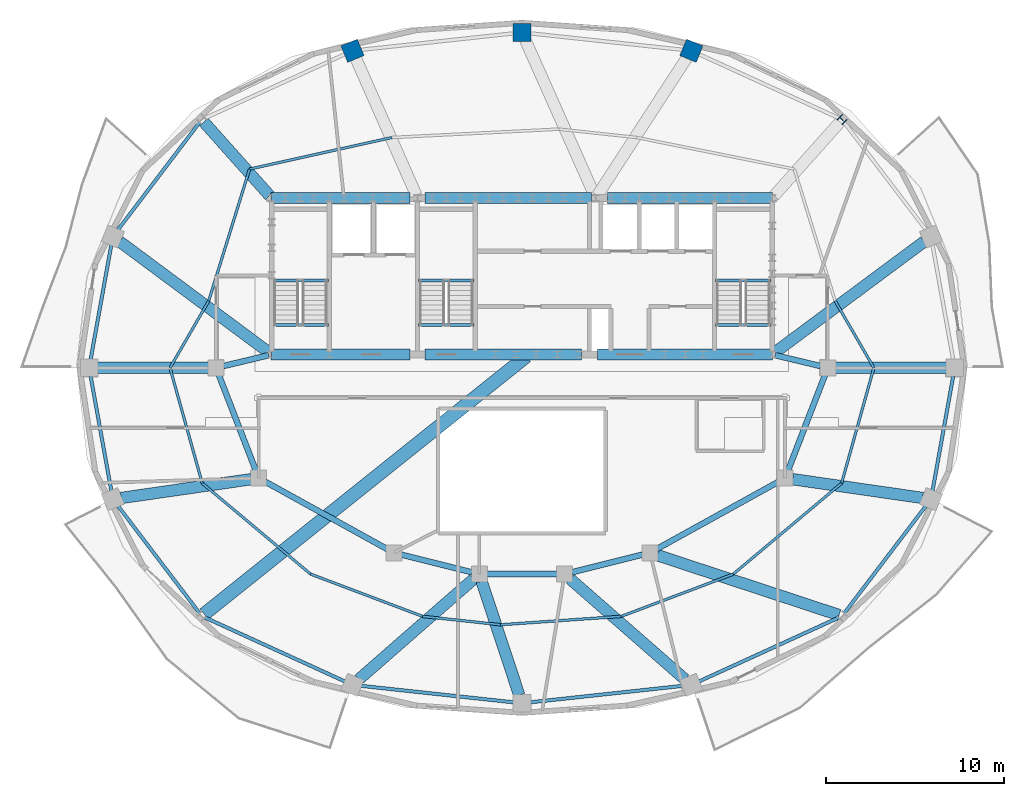
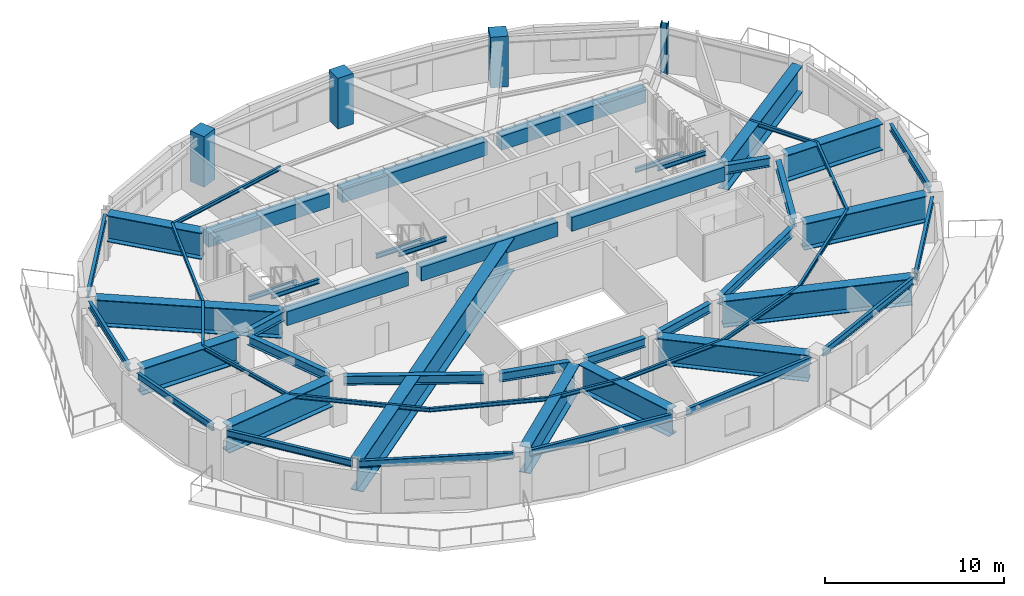
# One storey, part 2 of 10: 55 beams, 4 columns.
"""IFC4 building model written with IfcOpenShell, lengths in metres."""

from ifc_helpers import new_model, si_unit, direction, frame, origin, origin_2d, place, context, subcontext, project, spatial, rectangle, i_section, extrude, material, material_profile, profile_set, type_object, element, save


model = new_model("IFC4")

# Units and contexts
model_context = context("Model", 3, precision=1e-05, world=origin(), true_north=direction((0.0, 1.0)))
body_context = subcontext(model_context, "Body", "Model", "MODEL_VIEW")
ifc_project = project(units=[si_unit("LENGTHUNIT", "METRE"), si_unit("AREAUNIT", "SQUARE_METRE"), si_unit("VOLUMEUNIT", "CUBIC_METRE"), si_unit("PLANEANGLEUNIT", "RADIAN"), si_unit("MASSUNIT", "GRAM", prefix="KILO")], contexts=[model_context])

# Site, building, storey
site_placement = place(None, origin())
site = spatial("IfcSite", under=ifc_project, at=site_placement, CompositionType="ELEMENT")
building_placement = place(site_placement, origin())
building = spatial("IfcBuilding", under=site, at=building_placement, Name="Haldorwick Loom Tower", CompositionType="ELEMENT")
storey_placement = place(building_placement, frame((0.0, 0.0, 269.550048828125)))
storey = spatial("IfcBuildingStorey", under=building, at=storey_placement, Name="L73", CompositionType="ELEMENT", Elevation=269.550048828125)

# Columns
ifc_material_1 = material(Name="Concrete C60 (60 MPa)", Category="concrete")
ifc_material_profile_1 = material_profile(ifc_material_1, rectangle(XDim=1.0, YDim=1.0, at=origin_2d()), Name="RC1000X1000", Category="concrete")
ifc_profile_set_1 = profile_set([ifc_material_profile_1], Name="Concrete C60 (60 MPa)")
column_type_1 = type_object("IfcColumnType", Name="STR-COL-RC1000", PredefinedType="COLUMN", material=ifc_profile_set_1)
for number, where, z_axis, x_axis, name in (
    (1, (45.52880859375, 43.830810546875, 0.0), (0.0, 0.0, 1.0), (0.382683432365, 0.923879532511, 0.0), "L73 Perimeter Pier Column P04"),
    (2, (36.0, 44.860107421875, 0.0), (0.0, 0.0, 1.0), (0.0, 1.0, 0.0), "L73 Perimeter Pier Column P05"),
    (3, (26.47119140625, 43.830810546875, 0.0), (0.0, 0.0, 1.0), (-0.382683432365, 0.923879532511, 0.0), "L73 Perimeter Pier Column P06"),
):
    element("IfcColumn", number, at=place(storey_placement, frame(where, z_axis=z_axis, x_axis=x_axis)), inside=storey, type_object=column_type_1, Name=name, PredefinedType="COLUMN", context=body_context, shape_type="SweptSolid", body=[
        extrude(rectangle(XDim=1.0, YDim=1.0, at=origin_2d()), origin(), (0.0, 0.0, 1.0), 3.449951171875),
    ])
ifc_material_2 = material(Name="Steel CSA G40.21 350W", Category="steel")
ifc_material_profile_2 = material_profile(ifc_material_2, i_section(OverallWidth=0.406005859375, OverallDepth=0.416015625, WebThickness=0.024169921875, FlangeThickness=0.03857421875, at=origin_2d()), Name="W360X382", Category="steel")
ifc_profile_set_2 = profile_set([ifc_material_profile_2], Name="Steel CSA G40.21 350W")
column_type_2 = type_object("IfcColumnType", Name="STR-COL-W360X382", PredefinedType="COLUMN", material=ifc_profile_set_2)
column_placement = place(storey_placement, frame((54.005126953125, 39.958251953125, 0.0), z_axis=(0.0, 0.0, 1.0), x_axis=(0.707106781187, 0.707106781187, 0.0)))
element("IfcColumn", 4, at=column_placement, inside=storey, type_object=column_type_2, Name="L73 Perimeter Pier Column P03", PredefinedType="COLUMN", context=body_context, shape_type="SweptSolid", body=[
    extrude(i_section(OverallWidth=0.406005859375, OverallDepth=0.416015625, WebThickness=0.024169921875, FlangeThickness=0.03857421875, at=origin_2d()), origin(), (0.0, 0.0, 1.0), 3.449951171875),
])

# Beams
ifc_material_3 = material(Name="Concrete C50 (50 MPa)", Category="concrete")
ifc_material_profile_3 = material_profile(ifc_material_3, rectangle(XDim=0.60009765625, YDim=0.949951171875, at=origin_2d()), Name="RC600X950", Category="concrete")
ifc_profile_set_3 = profile_set([ifc_material_profile_3], Name="Concrete C50 (50 MPa)")
beam_type_1 = type_object("IfcBeamType", Name="STR-BM-CB950", PredefinedType="LINTEL", material=ifc_profile_set_3)
beam_1_placement = place(storey_placement, frame((21.89990234375, 35.550048828125, 2.695068359375), z_axis=(1.0, 0.0, 0.0), x_axis=(0.0, 1.0, 0.0)))
element("IfcBeam", 5, at=beam_1_placement, inside=storey, type_object=beam_type_1, Name="L73 Core Coupling Beam CB-N1", PredefinedType="LINTEL", context=body_context, shape_type="SweptSolid", body=[
    extrude(rectangle(XDim=0.60009765625, YDim=0.949951171875, at=origin_2d()), origin(), (0.0, 0.0, 1.0), 7.800048828125),
])
beam_2_placement = place(storey_placement, frame((30.550048828125, 35.550048828125, 2.695068359375), z_axis=(1.0, 0.0, 0.0), x_axis=(0.0, 1.0, 0.0)))
element("IfcBeam", 6, at=beam_2_placement, inside=storey, type_object=beam_type_1, Name="L73 Core Coupling Beam CB-N2", PredefinedType="LINTEL", context=body_context, shape_type="SweptSolid", body=[
    extrude(rectangle(XDim=0.60009765625, YDim=0.949951171875, at=origin_2d()), origin(), (0.0, 0.0, 1.0), 9.349853515625),
])
beam_3_placement = place(storey_placement, frame((40.800048828125, 35.550048828125, 2.695068359375), z_axis=(1.0, 0.0, 0.0), x_axis=(0.0, 1.0, 0.0)))
element("IfcBeam", 7, at=beam_3_placement, inside=storey, type_object=beam_type_1, Name="L73 Core Coupling Beam CB-N3", PredefinedType="LINTEL", context=body_context, shape_type="SweptSolid", body=[
    extrude(rectangle(XDim=0.60009765625, YDim=0.949951171875, at=origin_2d()), origin(), (0.0, 0.0, 1.0), 9.300048828125),
])
beam_4_placement = place(storey_placement, frame((21.89990234375, 26.75, 2.695068359375), z_axis=(1.0, 0.0, 0.0), x_axis=(0.0, 1.0, 0.0)))
element("IfcBeam", 8, at=beam_4_placement, inside=storey, type_object=beam_type_1, Name="L73 Core Coupling Beam CB-S1", PredefinedType="LINTEL", context=body_context, shape_type="SweptSolid", body=[
    extrude(rectangle(XDim=0.60009765625, YDim=0.949951171875, at=origin_2d()), origin(), (0.0, 0.0, 1.0), 7.800048828125),
])
beam_5_placement = place(storey_placement, frame((30.550048828125, 26.75, 2.695068359375), z_axis=(1.0, 0.0, 0.0), x_axis=(0.0, 1.0, 0.0)))
element("IfcBeam", 9, at=beam_5_placement, inside=storey, type_object=beam_type_1, Name="L73 Core Coupling Beam CB-S2", PredefinedType="LINTEL", context=body_context, shape_type="SweptSolid", body=[
    extrude(rectangle(XDim=0.60009765625, YDim=0.949951171875, at=origin_2d()), origin(), (0.0, 0.0, 1.0), 8.800048828125),
])
beam_6_placement = place(storey_placement, frame((40.25, 26.75, 2.695068359375), z_axis=(1.0, 0.0, 0.0), x_axis=(0.0, 1.0, 0.0)))
element("IfcBeam", 10, at=beam_6_placement, inside=storey, type_object=beam_type_1, Name="L73 Core Coupling Beam CB-S3", PredefinedType="LINTEL", context=body_context, shape_type="SweptSolid", body=[
    extrude(rectangle(XDim=0.60009765625, YDim=0.949951171875, at=origin_2d()), origin(), (0.0, 0.0, 1.0), 9.85009765625),
])
ifc_material_profile_4 = material_profile(ifc_material_2, i_section(OverallWidth=0.14599609375, OverallDepth=0.258056640625, WebThickness=0.006103515625, FlangeThickness=0.009033203125, at=origin_2d()), Name="W250X33", Category="steel")
ifc_profile_set_4 = profile_set([ifc_material_profile_4], Name="Steel CSA G40.21 350W")
beam_type_2 = type_object("IfcBeamType", Name="STR-BM-J250", PredefinedType="JOIST", material=ifc_profile_set_4)
beam_7_placement = place(storey_placement, frame((55.790283203125, 26.0, 3.041015625), z_axis=(-0.50089233553, 0.865509600297, 0.0), x_axis=(-0.865509600297, -0.50089233553, 0.0)))
element("IfcBeam", 11, at=beam_7_placement, inside=storey, type_object=beam_type_2, Name="L73 Mid-Bay Secondary Joist 1", PredefinedType="JOIST", context=body_context, shape_type="SweptSolid", body=[
    extrude(i_section(OverallWidth=0.14599609375, OverallDepth=0.258056640625, WebThickness=0.006103515625, FlangeThickness=0.009033203125, at=origin_2d()), origin(), (0.0, 0.0, 1.0), 4.34619140625),
])
beam_8_placement = place(storey_placement, frame((28.683349609375, 38.951416015625, 3.041015625), z_axis=(-0.976238917254, -0.216696969148, 0.0), x_axis=(0.216696969148, -0.976238917254, 0.0)))
element("IfcBeam", 12, at=beam_8_placement, inside=storey, type_object=beam_type_2, Name="L73 Mid-Bay Secondary Joist 6", PredefinedType="JOIST", context=body_context, shape_type="SweptSolid", body=[
    extrude(i_section(OverallWidth=0.14599609375, OverallDepth=0.258056640625, WebThickness=0.006103515625, FlangeThickness=0.009033203125, at=origin_2d()), origin(), (0.0, 0.0, 1.0), 8.19287109375),
])
beam_9_placement = place(storey_placement, frame((20.68505859375, 37.176025390625, 3.041015625), z_axis=(-0.296087580312, -0.955160795251, 0.0), x_axis=(0.955160795251, -0.296087580312, 0.0)))
element("IfcBeam", 13, at=beam_9_placement, inside=storey, type_object=beam_type_2, Name="L73 Mid-Bay Secondary Joist 7", PredefinedType="JOIST", context=body_context, shape_type="SweptSolid", body=[
    extrude(i_section(OverallWidth=0.14599609375, OverallDepth=0.258056640625, WebThickness=0.006103515625, FlangeThickness=0.009033203125, at=origin_2d()), origin(), (0.0, 0.0, 1.0), 7.762451171875),
])
beam_10_placement = place(storey_placement, frame((18.38671875, 29.76171875, 3.041015625), z_axis=(-0.50089233553, -0.865509600297, 0.0), x_axis=(0.865509600297, -0.50089233553, 0.0)))
element("IfcBeam", 14, at=beam_10_placement, inside=storey, type_object=beam_type_2, Name="L73 Mid-Bay Secondary Joist 8", PredefinedType="JOIST", context=body_context, shape_type="SweptSolid", body=[
    extrude(i_section(OverallWidth=0.14599609375, OverallDepth=0.258056640625, WebThickness=0.006103515625, FlangeThickness=0.009033203125, at=origin_2d()), origin(), (0.0, 0.0, 1.0), 4.34619140625),
])
beam_11_placement = place(storey_placement, frame((16.209716796875, 26.0, 3.041015625), z_axis=(0.269004652199, -0.963138877367, 0.0), x_axis=(0.963138877367, 0.269004652199, 0.0)))
element("IfcBeam", 15, at=beam_11_placement, inside=storey, type_object=beam_type_2, Name="L73 Mid-Bay Secondary Joist 9", PredefinedType="JOIST", context=body_context, shape_type="SweptSolid", body=[
    extrude(i_section(OverallWidth=0.14599609375, OverallDepth=0.258056640625, WebThickness=0.006103515625, FlangeThickness=0.009033203125, at=origin_2d()), origin(), (0.0, 0.0, 1.0), 6.735107421875),
])
beam_12_placement = place(storey_placement, frame((18.021484375, 19.51318359375, 3.041015625), z_axis=(0.766236362394, -0.642558819833, 0.0), x_axis=(0.642558819833, 0.766236362394, 0.0)))
element("IfcBeam", 16, at=beam_12_placement, inside=storey, type_object=beam_type_2, Name="L73 Mid-Bay Secondary Joist 10", PredefinedType="JOIST", context=body_context, shape_type="SweptSolid", body=[
    extrude(i_section(OverallWidth=0.14599609375, OverallDepth=0.258056640625, WebThickness=0.006103515625, FlangeThickness=0.009033203125, at=origin_2d()), origin(), (0.0, 0.0, 1.0), 7.959228515625),
])
beam_13_placement = place(storey_placement, frame((24.1201171875, 14.39892578125, 3.041015625), z_axis=(0.93567019597, -0.352875735031, 0.0), x_axis=(0.352875735031, 0.93567019597, 0.0)))
element("IfcBeam", 17, at=beam_13_placement, inside=storey, type_object=beam_type_2, Name="L73 Mid-Bay Secondary Joist 11", PredefinedType="JOIST", context=body_context, shape_type="SweptSolid", body=[
    extrude(i_section(OverallWidth=0.14599609375, OverallDepth=0.258056640625, WebThickness=0.006103515625, FlangeThickness=0.009033203125, at=origin_2d()), origin(), (0.0, 0.0, 1.0), 6.731201171875),
])
beam_14_placement = place(storey_placement, frame((30.418212890625, 12.023681640625, 3.041015625), z_axis=(0.994268003688, -0.106916494714, 0.0), x_axis=(0.106916494714, 0.994268003688, 0.0)))
element("IfcBeam", 18, at=beam_14_placement, inside=storey, type_object=beam_type_2, Name="L73 Mid-Bay Secondary Joist 12", PredefinedType="JOIST", context=body_context, shape_type="SweptSolid", body=[
    extrude(i_section(OverallWidth=0.14599609375, OverallDepth=0.258056640625, WebThickness=0.006103515625, FlangeThickness=0.009033203125, at=origin_2d()), origin(), (0.0, 0.0, 1.0), 4.406982421875),
])
beam_15_placement = place(storey_placement, frame((34.800048828125, 11.552490234375, 3.041015625), z_axis=(0.997595007309, 0.069312346609, 0.0), x_axis=(-0.069312346609, 0.997595007309, 0.0)))
element("IfcBeam", 19, at=beam_15_placement, inside=storey, type_object=beam_type_2, Name="L73 Mid-Bay Secondary Joist 13", PredefinedType="JOIST", context=body_context, shape_type="SweptSolid", body=[
    extrude(i_section(OverallWidth=0.14599609375, OverallDepth=0.258056640625, WebThickness=0.006103515625, FlangeThickness=0.009033203125, at=origin_2d()), origin(), (0.0, 0.0, 1.0), 6.798095703125),
])
beam_16_placement = place(storey_placement, frame((41.581787109375, 12.023681640625, 3.041015625), z_axis=(0.93567019597, 0.352875735031, 0.0), x_axis=(-0.352875735031, 0.93567019597, 0.0)))
element("IfcBeam", 20, at=beam_16_placement, inside=storey, type_object=beam_type_2, Name="L73 Mid-Bay Secondary Joist 14", PredefinedType="JOIST", context=body_context, shape_type="SweptSolid", body=[
    extrude(i_section(OverallWidth=0.14599609375, OverallDepth=0.258056640625, WebThickness=0.006103515625, FlangeThickness=0.009033203125, at=origin_2d()), origin(), (0.0, 0.0, 1.0), 6.731201171875),
])
beam_17_placement = place(storey_placement, frame((47.8798828125, 14.39892578125, 3.041015625), z_axis=(0.766236362394, 0.642558819833, 0.0), x_axis=(-0.642558819833, 0.766236362394, 0.0)))
element("IfcBeam", 21, at=beam_17_placement, inside=storey, type_object=beam_type_2, Name="L73 Mid-Bay Secondary Joist 15", PredefinedType="JOIST", context=body_context, shape_type="SweptSolid", body=[
    extrude(i_section(OverallWidth=0.14599609375, OverallDepth=0.258056640625, WebThickness=0.006103515625, FlangeThickness=0.009033203125, at=origin_2d()), origin(), (0.0, 0.0, 1.0), 7.959228515625),
])
beam_18_placement = place(storey_placement, frame((53.978515625, 19.51318359375, 3.041015625), z_axis=(0.269004652199, 0.963138877367, 0.0), x_axis=(-0.963138877367, 0.269004652199, 0.0)))
element("IfcBeam", 22, at=beam_18_placement, inside=storey, type_object=beam_type_2, Name="L73 Mid-Bay Secondary Joist 16", PredefinedType="JOIST", context=body_context, shape_type="SweptSolid", body=[
    extrude(i_section(OverallWidth=0.14599609375, OverallDepth=0.258056640625, WebThickness=0.006103515625, FlangeThickness=0.009033203125, at=origin_2d()), origin(), (0.0, 0.0, 1.0), 6.735107421875),
])
ifc_material_profile_5 = material_profile(ifc_material_2, i_section(OverallWidth=0.193115234375, OverallDepth=0.466064453125, WebThickness=0.011474609375, FlangeThickness=0.01904296875, at=origin_2d()), Name="W460X97", Category="steel")
ifc_profile_set_5 = profile_set([ifc_material_profile_5], Name="Steel CSA G40.21 350W")
beam_type_3 = type_object("IfcBeamType", Name="STR-BM-SP460", PredefinedType="SPANDREL", material=ifc_profile_set_5)
beam_19_placement = place(storey_placement, frame((17.886962890625, 39.816650390625, 2.93701171875), z_axis=(-0.605410439126, -0.795913437629, 0.0), x_axis=(0.795913437629, -0.605410439126, 0.0)))
element("IfcBeam", 23, at=beam_19_placement, inside=storey, type_object=beam_type_3, Name="L73 Perimeter Spandrel 7", PredefinedType="SPANDREL", context=body_context, shape_type="SweptSolid", body=[
    extrude(i_section(OverallWidth=0.193115234375, OverallDepth=0.466064453125, WebThickness=0.011474609375, FlangeThickness=0.01904296875, at=origin_2d()), origin(), (0.0, 0.0, 1.0), 7.604736328125),
])
for number, where, z_axis, x_axis, name in (
    (24, (12.9111328125, 32.918212890625, 2.93701171875), (-0.177515201984, -0.984118058499, 0.0), (0.984118058499, -0.177515201984, 0.0), "L73 Perimeter Spandrel 8"),
    (25, (11.74755859375, 25.532470703125, 2.93701171875), (0.177515201984, -0.984118058499, 0.0), (0.984118058499, 0.177515201984, 0.0), "L73 Perimeter Spandrel 9"),
):
    element("IfcBeam", number, at=place(storey_placement, frame(where, z_axis=z_axis, x_axis=x_axis)), inside=storey, type_object=beam_type_3, Name=name, PredefinedType="SPANDREL", context=body_context, shape_type="SweptSolid", body=[
        extrude(i_section(OverallWidth=0.193115234375, OverallDepth=0.466064453125, WebThickness=0.011474609375, FlangeThickness=0.01904296875, at=origin_2d()), origin(), (0.0, 0.0, 1.0), 6.5546875),
    ])
beam_20_placement = place(storey_placement, frame((13.282958984375, 18.236083984375, 2.93701171875), z_axis=(0.605410439126, -0.795913437629, 0.0), x_axis=(0.795913437629, 0.605410439126, 0.0)))
element("IfcBeam", 26, at=beam_20_placement, inside=storey, type_object=beam_type_3, Name="L73 Perimeter Spandrel 10", PredefinedType="SPANDREL", context=body_context, shape_type="SweptSolid", body=[
    extrude(i_section(OverallWidth=0.193115234375, OverallDepth=0.466064453125, WebThickness=0.011474609375, FlangeThickness=0.01904296875, at=origin_2d()), origin(), (0.0, 0.0, 1.0), 7.604736328125),
])
beam_21_placement = place(storey_placement, frame((18.15673828125, 11.9677734375, 2.93701171875), z_axis=(0.909567887863, -0.415555360172, 0.0), x_axis=(0.415555360172, 0.909567887863, 0.0)))
element("IfcBeam", 27, at=beam_21_placement, inside=storey, type_object=beam_type_3, Name="L73 Perimeter Spandrel 11", PredefinedType="SPANDREL", context=body_context, shape_type="SweptSolid", body=[
    extrude(i_section(OverallWidth=0.193115234375, OverallDepth=0.466064453125, WebThickness=0.011474609375, FlangeThickness=0.01904296875, at=origin_2d()), origin(), (0.0, 0.0, 1.0), 8.666259765625),
])
for number, where, z_axis, x_axis, name in (
    (28, (26.943603515625, 8.1181640625, 2.93701171875), (0.994216353781, -0.107395725588, 0.0), (0.107395725588, 0.994216353781, 0.0), "L73 Perimeter Spandrel 12"),
    (29, (36.472412109375, 7.19091796875, 2.93701171875), (0.994216353781, 0.107395725588, 0.0), (-0.107395725588, 0.994216353781, 0.0), "L73 Perimeter Spandrel 13"),
):
    element("IfcBeam", number, at=place(storey_placement, frame(where, z_axis=z_axis, x_axis=x_axis)), inside=storey, type_object=beam_type_3, Name=name, PredefinedType="SPANDREL", context=body_context, shape_type="SweptSolid", body=[
        extrude(i_section(OverallWidth=0.193115234375, OverallDepth=0.466064453125, WebThickness=0.011474609375, FlangeThickness=0.01904296875, at=origin_2d()), origin(), (0.0, 0.0, 1.0), 8.634033203125),
    ])
beam_22_placement = place(storey_placement, frame((45.960693359375, 8.366455078125, 2.93701171875), z_axis=(0.909567887863, 0.415555360172, 0.0), x_axis=(-0.415555360172, 0.909567887863, 0.0)))
element("IfcBeam", 30, at=beam_22_placement, inside=storey, type_object=beam_type_3, Name="L73 Perimeter Spandrel 14", PredefinedType="SPANDREL", context=body_context, shape_type="SweptSolid", body=[
    extrude(i_section(OverallWidth=0.193115234375, OverallDepth=0.466064453125, WebThickness=0.011474609375, FlangeThickness=0.01904296875, at=origin_2d()), origin(), (0.0, 0.0, 1.0), 8.666259765625),
])
beam_23_placement = place(storey_placement, frame((54.113037109375, 12.183349609375, 2.93701171875), z_axis=(0.605410439126, 0.795913437629, 0.0), x_axis=(-0.795913437629, 0.605410439126, 0.0)))
element("IfcBeam", 31, at=beam_23_placement, inside=storey, type_object=beam_type_3, Name="L73 Perimeter Spandrel 15", PredefinedType="SPANDREL", context=body_context, shape_type="SweptSolid", body=[
    extrude(i_section(OverallWidth=0.193115234375, OverallDepth=0.466064453125, WebThickness=0.011474609375, FlangeThickness=0.01904296875, at=origin_2d()), origin(), (0.0, 0.0, 1.0), 7.604736328125),
])
beam_24_placement = place(storey_placement, frame((59.0888671875, 19.081787109375, 2.93701171875), z_axis=(0.177515201984, 0.984118058499, 0.0), x_axis=(-0.984118058499, 0.177515201984, 0.0)))
element("IfcBeam", 32, at=beam_24_placement, inside=storey, type_object=beam_type_3, Name="L73 Perimeter Spandrel 16", PredefinedType="SPANDREL", context=body_context, shape_type="SweptSolid", body=[
    extrude(i_section(OverallWidth=0.193115234375, OverallDepth=0.466064453125, WebThickness=0.011474609375, FlangeThickness=0.01904296875, at=origin_2d()), origin(), (0.0, 0.0, 1.0), 6.5546875),
])
ifc_material_profile_6 = material_profile(ifc_material_2, i_section(OverallWidth=0.166015625, OverallDepth=0.31298828125, WebThickness=0.006591796875, FlangeThickness=0.01123046875, at=origin_2d()), Name="W310X45", Category="steel")
ifc_profile_set_6 = profile_set([ifc_material_profile_6], Name="Steel CSA G40.21 350W")
beam_type_4 = type_object("IfcBeamType", Name="STR-BM-STRM", PredefinedType="BEAM", material=ifc_profile_set_6)
for number, where, z_axis, x_axis, name in (
    (33, (21.989990234375, 28.39990234375, 3.013427734375), (1.0, 0.0, 0.0), (0.0, 1.0, 0.0), "L73 Stair ST-01 Landing Edge Trimmer"),
    (34, (21.989990234375, 30.919921875, 1.368408203125), (1.0, 0.0, 0.0), (0.0, 1.0, 0.0), "L73 Stair ST-01 Half-Landing Trimmer 1"),
    (35, (46.889892578125, 28.39990234375, 3.013427734375), (1.0, 0.0, 0.0), (0.0, 1.0, 0.0), "L73 Stair ST-02 Landing Edge Trimmer"),
    (36, (46.889892578125, 30.919921875, 1.368408203125), (1.0, 0.0, 0.0), (0.0, 1.0, 0.0), "L73 Stair ST-02 Half-Landing Trimmer 1"),
    (37, (30.18994140625, 28.39990234375, 3.013427734375), (1.0, 0.0, 0.0), (0.0, 1.0, 0.0), "L73 Stair ST-03 Landing Edge Trimmer"),
    (38, (30.18994140625, 30.919921875, 1.368408203125), (1.0, 0.0, 0.0), (0.0, 1.0, 0.0), "L73 Stair ST-03 Half-Landing Trimmer 1"),
):
    element("IfcBeam", number, at=place(storey_placement, frame(where, z_axis=z_axis, x_axis=x_axis)), inside=storey, type_object=beam_type_4, Name=name, PredefinedType="BEAM", context=body_context, shape_type="SweptSolid", body=[
        extrude(i_section(OverallWidth=0.166015625, OverallDepth=0.31298828125, WebThickness=0.006591796875, FlangeThickness=0.01123046875, at=origin_2d()), origin(), (0.0, 0.0, 1.0), 3.1201171875),
    ])
ifc_material_4 = material(Name="Steel CSA G40.21 350WT", Category="steel")
ifc_material_profile_7 = material_profile(ifc_material_4, i_section(OverallWidth=0.64990234375, OverallDepth=1.800048828125, WebThickness=0.02587890625, FlangeThickness=0.048095703125, at=origin_2d()), Name="WWF1800X650", Category="steel")
ifc_profile_set_7 = profile_set([ifc_material_profile_7], Name="Steel CSA G40.21 350WT")
beam_type_5 = type_object("IfcBeamType", Name="STR-BM-TG1800", PredefinedType="BEAM", material=ifc_profile_set_7)
beam_25_placement = place(storey_placement, frame((53.625, 26.0, 2.27001953125), z_axis=(1.0, 0.0, 0.0), x_axis=(0.0, 1.0, 0.0)))
element("IfcBeam", 39, at=beam_25_placement, inside=storey, type_object=beam_type_5, Name="L73 Setback Inner Transfer Girder 1", PredefinedType="BEAM", context=body_context, shape_type="SweptSolid", body=[
    extrude(i_section(OverallWidth=0.64990234375, OverallDepth=1.800048828125, WebThickness=0.02587890625, FlangeThickness=0.048095703125, at=origin_2d()), origin(), (0.0, 0.0, 1.0), 6.23681640625),
])
beam_26_placement = place(storey_placement, frame((50.207763671875, 26.852294921875, 2.27001953125), z_axis=(0.802802773234, 0.596244670658, 0.0), x_axis=(-0.596244670658, 0.802802773234, 0.0)))
element("IfcBeam", 40, at=beam_26_placement, inside=storey, type_object=beam_type_5, Name="L73 Setback Inner Transfer Girder 2", PredefinedType="BEAM", context=body_context, shape_type="SweptSolid", body=[
    extrude(i_section(OverallWidth=0.64990234375, OverallDepth=1.800048828125, WebThickness=0.02587890625, FlangeThickness=0.048095703125, at=origin_2d()), origin(), (0.0, 0.0, 1.0), 10.482666015625),
])
beam_27_placement = place(storey_placement, frame((21.81591796875, 35.677978515625, 2.27001953125), z_axis=(-0.665970391236, 0.745978175282, 0.0), x_axis=(-0.745978175282, -0.665970391236, 0.0)))
element("IfcBeam", 41, at=beam_27_placement, inside=storey, type_object=beam_type_5, Name="L73 Setback Inner Transfer Girder 7", PredefinedType="BEAM", context=body_context, shape_type="SweptSolid", body=[
    extrude(i_section(OverallWidth=0.64990234375, OverallDepth=1.800048828125, WebThickness=0.02587890625, FlangeThickness=0.048095703125, at=origin_2d()), origin(), (0.0, 0.0, 1.0), 5.559814453125),
])
beam_28_placement = place(storey_placement, frame((21.792236328125, 26.852294921875, 2.27001953125), z_axis=(-0.802802773234, 0.596244670658, 0.0), x_axis=(-0.596244670658, -0.802802773234, 0.0)))
element("IfcBeam", 42, at=beam_28_placement, inside=storey, type_object=beam_type_5, Name="L73 Setback Inner Transfer Girder 8", PredefinedType="BEAM", context=body_context, shape_type="SweptSolid", body=[
    extrude(i_section(OverallWidth=0.64990234375, OverallDepth=1.800048828125, WebThickness=0.02587890625, FlangeThickness=0.048095703125, at=origin_2d()), origin(), (0.0, 0.0, 1.0), 10.482666015625),
])
beam_29_placement = place(storey_placement, frame((18.375, 26.0, 2.27001953125), z_axis=(-1.0, 0.0, 0.0), x_axis=(0.0, -1.0, 0.0)))
element("IfcBeam", 43, at=beam_29_placement, inside=storey, type_object=beam_type_5, Name="L73 Setback Inner Transfer Girder 9", PredefinedType="BEAM", context=body_context, shape_type="SweptSolid", body=[
    extrude(i_section(OverallWidth=0.64990234375, OverallDepth=1.800048828125, WebThickness=0.02587890625, FlangeThickness=0.048095703125, at=origin_2d()), origin(), (0.0, 0.0, 1.0), 6.23681640625),
])
beam_30_placement = place(storey_placement, frame((20.779296875, 19.7392578125, 2.27001953125), z_axis=(-0.989714899996, -0.143053894481, 0.0), x_axis=(0.143053894481, -0.989714899996, 0.0)))
element("IfcBeam", 44, at=beam_30_placement, inside=storey, type_object=beam_type_5, Name="L73 Setback Inner Transfer Girder 10", PredefinedType="BEAM", context=body_context, shape_type="SweptSolid", body=[
    extrude(i_section(OverallWidth=0.64990234375, OverallDepth=1.800048828125, WebThickness=0.02587890625, FlangeThickness=0.048095703125, at=origin_2d()), origin(), (0.0, 0.0, 1.0), 7.3896484375),
])
beam_31_placement = place(storey_placement, frame((33.280029296875, 14.120361328125, 2.27001953125), z_axis=(-0.752929611517, -0.658101056146, 0.0), x_axis=(0.658101056146, -0.752929611517, 0.0)))
element("IfcBeam", 45, at=beam_31_placement, inside=storey, type_object=beam_type_5, Name="L73 Setback Inner Transfer Girder 12", PredefinedType="BEAM", context=body_context, shape_type="SweptSolid", body=[
    extrude(i_section(OverallWidth=0.64990234375, OverallDepth=1.800048828125, WebThickness=0.02587890625, FlangeThickness=0.048095703125, at=origin_2d()), origin(), (0.0, 0.0, 1.0), 8.568115234375),
])
beam_32_placement = place(storey_placement, frame((33.7333984375, 13.99658203125, 2.27001953125), z_axis=(0.313860075071, -0.949469248199, 0.0), x_axis=(0.949469248199, 0.313860075071, 0.0)))
element("IfcBeam", 46, at=beam_32_placement, inside=storey, type_object=beam_type_5, Name="L73 Setback Inner Transfer Girder 13", PredefinedType="BEAM", context=body_context, shape_type="SweptSolid", body=[
    extrude(i_section(OverallWidth=0.64990234375, OverallDepth=1.800048828125, WebThickness=0.02587890625, FlangeThickness=0.048095703125, at=origin_2d()), origin(), (0.0, 0.0, 1.0), 6.746337890625),
])
beam_33_placement = place(storey_placement, frame((38.719970703125, 14.120361328125, 2.27001953125), z_axis=(0.752929611517, -0.658101056146, 0.0), x_axis=(0.658101056146, 0.752929611517, 0.0)))
element("IfcBeam", 47, at=beam_33_placement, inside=storey, type_object=beam_type_5, Name="L73 Setback Inner Transfer Girder 14", PredefinedType="BEAM", context=body_context, shape_type="SweptSolid", body=[
    extrude(i_section(OverallWidth=0.64990234375, OverallDepth=1.800048828125, WebThickness=0.02587890625, FlangeThickness=0.048095703125, at=origin_2d()), origin(), (0.0, 0.0, 1.0), 8.568115234375),
])
beam_34_placement = place(storey_placement, frame((43.603759765625, 15.467041015625, 2.27001953125), z_axis=(0.949823774798, -0.312785544468, 0.0), x_axis=(0.312785544468, 0.949823774798, 0.0)))
element("IfcBeam", 48, at=beam_34_placement, inside=storey, type_object=beam_type_5, Name="L73 Setback Inner Transfer Girder 15", PredefinedType="BEAM", context=body_context, shape_type="SweptSolid", body=[
    extrude(i_section(OverallWidth=0.64990234375, OverallDepth=1.800048828125, WebThickness=0.02587890625, FlangeThickness=0.048095703125, at=origin_2d()), origin(), (0.0, 0.0, 1.0), 10.77294921875),
])
beam_35_placement = place(storey_placement, frame((51.220703125, 19.7392578125, 2.27001953125), z_axis=(0.989714899996, -0.143053894481, 0.0), x_axis=(0.143053894481, 0.989714899996, 0.0)))
element("IfcBeam", 49, at=beam_35_placement, inside=storey, type_object=beam_type_5, Name="L73 Setback Inner Transfer Girder 16", PredefinedType="BEAM", context=body_context, shape_type="SweptSolid", body=[
    extrude(i_section(OverallWidth=0.64990234375, OverallDepth=1.800048828125, WebThickness=0.02587890625, FlangeThickness=0.048095703125, at=origin_2d()), origin(), (0.0, 0.0, 1.0), 7.3896484375),
])
ifc_material_profile_8 = material_profile(ifc_material_4, i_section(OverallWidth=0.75, OverallDepth=2.199951171875, WebThickness=0.030029296875, FlangeThickness=0.054931640625, at=origin_2d()), Name="WWF2200X750", Category="steel")
ifc_profile_set_8 = profile_set([ifc_material_profile_8], Name="Steel CSA G40.21 350WT")
beam_type_6 = type_object("IfcBeamType", Name="STR-BM-TG2200", PredefinedType="BEAM", material=ifc_profile_set_8)
beam_36_placement = place(storey_placement, frame((36.24609375, 26.642822265625, 2.070068359375), z_axis=(-0.7808657288, -0.624698898339, 0.0), x_axis=(0.624698898339, -0.7808657288, 0.0)))
element("IfcBeam", 50, at=beam_36_placement, inside=storey, type_object=beam_type_6, Name="L73 Setback Inner Transfer Girder 11", PredefinedType="BEAM", context=body_context, shape_type="SweptSolid", body=[
    extrude(i_section(OverallWidth=0.75, OverallDepth=2.199951171875, WebThickness=0.030029296875, FlangeThickness=0.054931640625, at=origin_2d()), origin(), (0.0, 0.0, 1.0), 23.195068359375),
])
ifc_material_profile_9 = material_profile(ifc_material_2, i_section(OverallWidth=0.324951171875, OverallDepth=0.615966796875, WebThickness=0.013916015625, FlangeThickness=0.021484375, at=origin_2d()), Name="W610X174", Category="steel")
ifc_profile_set_9 = profile_set([ifc_material_profile_9], Name="Steel CSA G40.21 350W")
beam_type_7 = type_object("IfcBeamType", Name="STR-BM-W610A", PredefinedType="BEAM", material=ifc_profile_set_9)
beam_37_placement = place(storey_placement, frame((50.23681640625, 26.7099609375, 2.862060546875), z_axis=(0.972483573168, -0.232971457302, 0.0), x_axis=(0.232971457302, 0.972483573168, 0.0)))
element("IfcBeam", 51, at=beam_37_placement, inside=storey, type_object=beam_type_7, Name="L73 Inner Ring Girder 1", PredefinedType="BEAM", context=body_context, shape_type="SweptSolid", body=[
    extrude(i_section(OverallWidth=0.324951171875, OverallDepth=0.615966796875, WebThickness=0.013916015625, FlangeThickness=0.021484375, at=origin_2d()), origin(), (0.0, 0.0, 1.0), 2.6220703125),
])
beam_38_placement = place(storey_placement, frame((53.046630859375, 25.603759765625, 2.862060546875), z_axis=(-0.361001189766, -0.932565354808, 0.0), x_axis=(0.932565354808, -0.361001189766, 0.0)))
element("IfcBeam", 52, at=beam_38_placement, inside=storey, type_object=beam_type_7, Name="L73 Inner Ring Girder 2", PredefinedType="BEAM", context=body_context, shape_type="SweptSolid", body=[
    extrude(i_section(OverallWidth=0.324951171875, OverallDepth=0.615966796875, WebThickness=0.013916015625, FlangeThickness=0.021484375, at=origin_2d()), origin(), (0.0, 0.0, 1.0), 5.798583984375),
])
beam_39_placement = place(storey_placement, frame((50.427978515625, 19.594482421875, 2.862060546875), z_axis=(-0.875241535439, -0.48368611169, 0.0), x_axis=(0.48368611169, -0.875241535439, 0.0)))
element("IfcBeam", 53, at=beam_39_placement, inside=storey, type_object=beam_type_7, Name="L73 Inner Ring Girder 3", PredefinedType="BEAM", context=body_context, shape_type="SweptSolid", body=[
    extrude(i_section(OverallWidth=0.324951171875, OverallDepth=0.615966796875, WebThickness=0.013916015625, FlangeThickness=0.021484375, at=origin_2d()), origin(), (0.0, 0.0, 1.0), 7.833251953125),
])
beam_40_placement = place(storey_placement, frame((42.78759765625, 15.496826171875, 2.862060546875), z_axis=(-0.97015301348, -0.242493567823, 0.0), x_axis=(0.242493567823, -0.97015301348, 0.0)))
element("IfcBeam", 54, at=beam_40_placement, inside=storey, type_object=beam_type_7, Name="L73 Inner Ring Girder 4", PredefinedType="BEAM", context=body_context, shape_type="SweptSolid", body=[
    extrude(i_section(OverallWidth=0.324951171875, OverallDepth=0.615966796875, WebThickness=0.013916015625, FlangeThickness=0.021484375, at=origin_2d()), origin(), (0.0, 0.0, 1.0), 4.09765625),
])
beam_41_placement = place(storey_placement, frame((37.97509765625, 14.39990234375, 2.862060546875), z_axis=(-1.0, 0.0, 0.0), x_axis=(0.0, -1.0, 0.0)))
element("IfcBeam", 55, at=beam_41_placement, inside=storey, type_object=beam_type_7, Name="L73 Inner Ring Girder 5", PredefinedType="BEAM", context=body_context, shape_type="SweptSolid", body=[
    extrude(i_section(OverallWidth=0.324951171875, OverallDepth=0.615966796875, WebThickness=0.013916015625, FlangeThickness=0.021484375, at=origin_2d()), origin(), (0.0, 0.0, 1.0), 3.9501953125),
])
beam_42_placement = place(storey_placement, frame((33.187744140625, 14.503173828125, 2.862060546875), z_axis=(-0.97015301348, 0.242493567823, 0.0), x_axis=(-0.242493567823, -0.97015301348, 0.0)))
element("IfcBeam", 56, at=beam_42_placement, inside=storey, type_object=beam_type_7, Name="L73 Inner Ring Girder 6", PredefinedType="BEAM", context=body_context, shape_type="SweptSolid", body=[
    extrude(i_section(OverallWidth=0.324951171875, OverallDepth=0.615966796875, WebThickness=0.013916015625, FlangeThickness=0.021484375, at=origin_2d()), origin(), (0.0, 0.0, 1.0), 4.09765625),
])
beam_43_placement = place(storey_placement, frame((28.427978515625, 15.8056640625, 2.862060546875), z_axis=(-0.875241535439, 0.48368611169, 0.0), x_axis=(-0.48368611169, -0.875241535439, 0.0)))
element("IfcBeam", 57, at=beam_43_placement, inside=storey, type_object=beam_type_7, Name="L73 Inner Ring Girder 7", PredefinedType="BEAM", context=body_context, shape_type="SweptSolid", body=[
    extrude(i_section(OverallWidth=0.324951171875, OverallDepth=0.615966796875, WebThickness=0.013916015625, FlangeThickness=0.021484375, at=origin_2d()), origin(), (0.0, 0.0, 1.0), 7.833251953125),
])
beam_44_placement = place(storey_placement, frame((21.046630859375, 20.1962890625, 2.862060546875), z_axis=(-0.361001189766, 0.932565354808, 0.0), x_axis=(-0.932565354808, -0.361001189766, 0.0)))
element("IfcBeam", 58, at=beam_44_placement, inside=storey, type_object=beam_type_7, Name="L73 Inner Ring Girder 8", PredefinedType="BEAM", context=body_context, shape_type="SweptSolid", body=[
    extrude(i_section(OverallWidth=0.324951171875, OverallDepth=0.615966796875, WebThickness=0.013916015625, FlangeThickness=0.021484375, at=origin_2d()), origin(), (0.0, 0.0, 1.0), 5.798583984375),
])
beam_45_placement = place(storey_placement, frame((19.21337890625, 26.09912109375, 2.862060546875), z_axis=(0.972483573168, 0.232971457302, 0.0), x_axis=(-0.232971457302, 0.972483573168, 0.0)))
element("IfcBeam", 59, at=beam_45_placement, inside=storey, type_object=beam_type_7, Name="L73 Inner Ring Girder 9", PredefinedType="BEAM", context=body_context, shape_type="SweptSolid", body=[
    extrude(i_section(OverallWidth=0.324951171875, OverallDepth=0.615966796875, WebThickness=0.013916015625, FlangeThickness=0.021484375, at=origin_2d()), origin(), (0.0, 0.0, 1.0), 2.6220703125),
])

save(model, "model.ifc")
